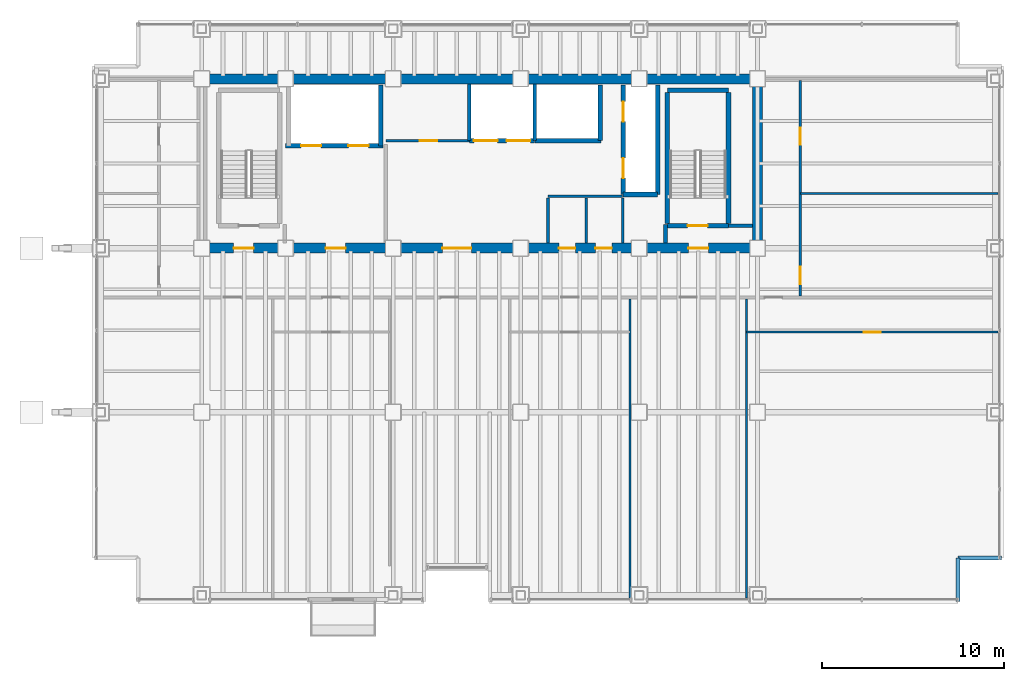
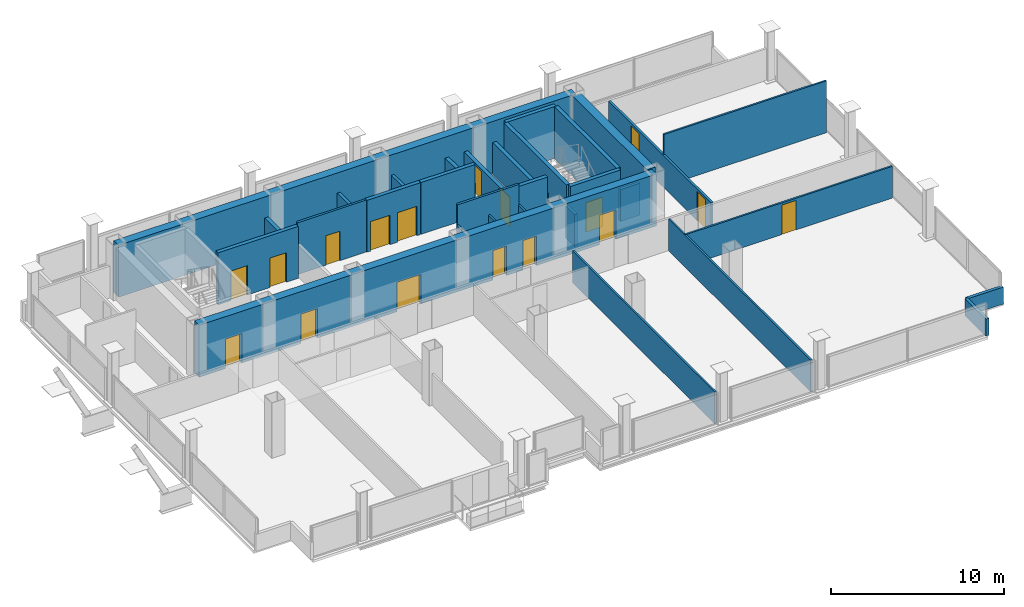
# One storey, part 19 of 21: 31 walls, 17 doors, 17 openings.
"""IFC4 building model written with IfcOpenShell, lengths in metres."""

from ifc_helpers import new_model, si_unit, direction, frame, frame_2d, origin, place, context, subcontext, project, spatial, rectangle, extrude, material, layer, layer_set, type_object, element, fill, save


model = new_model("IFC4")

# Units and contexts
model_context = context("Model", 3, precision=1e-05, world=origin(), true_north=direction((0.0, 1.0)))
body_context = subcontext(model_context, "Body", "Model", "MODEL_VIEW")
ifc_project = project(units=[si_unit("LENGTHUNIT", "METRE"), si_unit("AREAUNIT", "SQUARE_METRE"), si_unit("VOLUMEUNIT", "CUBIC_METRE"), si_unit("PLANEANGLEUNIT", "RADIAN"), si_unit("MASSUNIT", "GRAM", prefix="KILO")], contexts=[model_context])

# Site, building, storey
site_placement = place(None, origin())
site = spatial("IfcSite", under=ifc_project, at=site_placement, CompositionType="ELEMENT")
building_placement = place(site_placement, origin())
building = spatial("IfcBuilding", under=site, at=building_placement, Name="Noeulbin Bourse Tower", CompositionType="ELEMENT")
storey_placement = place(building_placement, frame((0.0, 0.0, 111.0)))
storey = spatial("IfcBuildingStorey", under=building, at=storey_placement, Name="L27", CompositionType="ELEMENT", Elevation=111.0)

# Wall, openings, doors
ifc_material_1 = material(Name="Concrete C60/75", Category="concrete")
ifc_layer_1 = layer(ifc_material_1, 0.550048828125)
ifc_layer_set_1 = layer_set([ifc_layer_1], Name="Concrete C60/75")
wall_type_1 = type_object("IfcWallType", Name="WAL-CORE-550", PredefinedType="SHEAR", material=ifc_layer_set_1)
wall_1_placement = place(storey_placement, frame((13.5, 29.0, 0.0), z_axis=(0.0, 0.0, 1.0), x_axis=(1.0, 0.0, 0.0)))
wall_1 = element("IfcWall", 1, at=wall_1_placement, inside=storey, type_object=wall_type_1, Name="Rear Core South Shear Wall L27", PredefinedType="SHEAR", context=body_context, shape_type="SweptSolid", body=[
    extrude(rectangle(XDim=30.5, YDim=0.550048828125, at=frame_2d((15.25, 0.0))), origin(), (0.0, 0.0, 1.0), 3.659912109375),
])
opening_1_placement = place(wall_1_placement, frame((1.75, 0.0, 0.0)))
opening_1 = element("IfcOpeningElement", 2, at=opening_1_placement, cuts=wall_1, Name="Opening FD-11", PredefinedType="OPENING", context=body_context, shape_type="SweptSolid", body=[
    extrude(rectangle(XDim=1.10009765625, YDim=2.080078125, at=frame_2d((0.550048828125, 1.0400390625))), frame((0.0, 0.284912109375, 0.0), z_axis=(0.0, -1.0, 0.0), x_axis=(1.0, 0.0, 0.0)), (0.0, 0.0, 1.0), 0.570068359375),
])
opening_2_placement = place(wall_1_placement, frame((26.699951171875, 0.0, 0.0)))
opening_2 = element("IfcOpeningElement", 3, at=opening_2_placement, cuts=wall_1, Name="Opening FD-11", PredefinedType="OPENING", context=body_context, shape_type="SweptSolid", body=[
    extrude(rectangle(XDim=1.10009765625, YDim=2.080078125, at=frame_2d((0.550048828125, 1.0400390625))), frame((0.0, 0.284912109375, 0.0), z_axis=(0.0, -1.0, 0.0), x_axis=(1.0, 0.0, 0.0)), (0.0, 0.0, 1.0), 0.570068359375),
])
opening_3_placement = place(wall_1_placement, frame((6.800048828125, 0.0, 0.0)))
opening_3 = element("IfcOpeningElement", 4, at=opening_3_placement, cuts=wall_1, Name="Opening FD-11", PredefinedType="OPENING", context=body_context, shape_type="SweptSolid", body=[
    extrude(rectangle(XDim=1.10009765625, YDim=2.080078125, at=frame_2d((0.550048828125, 1.0400390625))), frame((0.0, 0.284912109375, 0.0), z_axis=(0.0, -1.0, 0.0), x_axis=(1.0, 0.0, 0.0)), (0.0, 0.0, 1.0), 0.570068359375),
])
opening_4_placement = place(wall_1_placement, frame((13.199951171875, 0.0, 0.0)))
opening_4 = element("IfcOpeningElement", 5, at=opening_4_placement, cuts=wall_1, Name="Opening ID-16", PredefinedType="OPENING", context=body_context, shape_type="SweptSolid", body=[
    extrude(rectangle(XDim=1.60009765625, YDim=2.080078125, at=frame_2d((0.800048828125, 1.0400390625))), frame((0.0, 0.284912109375, 0.0), z_axis=(0.0, -1.0, 0.0), x_axis=(1.0, 0.0, 0.0)), (0.0, 0.0, 1.0), 0.570068359375),
])
opening_5_placement = place(wall_1_placement, frame((19.60009765625, 0.0, 0.0)))
opening_5 = element("IfcOpeningElement", 6, at=opening_5_placement, cuts=wall_1, Name="Opening FD-09", PredefinedType="OPENING", context=body_context, shape_type="SweptSolid", body=[
    extrude(rectangle(XDim=0.89990234375, YDim=2.080078125, at=frame_2d((0.449951171875, 1.0400390625))), frame((0.0, 0.284912109375, 0.0), z_axis=(0.0, -1.0, 0.0), x_axis=(1.0, 0.0, 0.0)), (0.0, 0.0, 1.0), 0.570068359375),
])
opening_6_placement = place(wall_1_placement, frame((21.60009765625, 0.0, 0.0)))
opening_6 = element("IfcOpeningElement", 7, at=opening_6_placement, cuts=wall_1, Name="Opening FD-09", PredefinedType="OPENING", context=body_context, shape_type="SweptSolid", body=[
    extrude(rectangle(XDim=0.89990234375, YDim=2.080078125, at=frame_2d((0.449951171875, 1.0400390625))), frame((0.0, 0.284912109375, 0.0), z_axis=(0.0, -1.0, 0.0), x_axis=(1.0, 0.0, 0.0)), (0.0, 0.0, 1.0), 0.570068359375),
])
ifc_material_2 = material(Name="Acoustic Glazed Aluminium", Category="aluminium")
door_type_1 = type_object("IfcDoorType", Name="DR-DBL-1600", OperationType="DOUBLE_DOOR_SINGLE_SWING", PredefinedType="DOOR", material=ifc_material_2)
door_1_placement = place(opening_4_placement, origin())
door_1 = element("IfcDoor", 8, at=door_1_placement, inside=storey, type_object=door_type_1, Name="Passenger Lift Lobby Portal L27", OperationType="DOUBLE_DOOR_SINGLE_SWING", OverallHeight=2.080078125, OverallWidth=1.60009765625, PredefinedType="DOOR", context=body_context, shape_type="SweptSolid", body=[
    extrude(rectangle(XDim=1.60009765625, YDim=2.080078125, at=frame_2d((0.800048828125, 1.0400390625))), frame((0.0, 0.02490234375, 0.0), z_axis=(0.0, -1.0, 0.0), x_axis=(1.0, 0.0, 0.0)), (0.0, 0.0, 1.0), 0.050048828125),
])
fill(opening_4, door_1)
ifc_material_3 = material(Name="Fire-Rated Timber Core", Category="wood")
door_type_2 = type_object("IfcDoorType", Name="DR-FD30-900", OperationType="SINGLE_SWING_RIGHT", PredefinedType="DOOR", material=ifc_material_3)
door_2_placement = place(opening_5_placement, origin())
door_2 = element("IfcDoor", 9, at=door_2_placement, inside=storey, type_object=door_type_2, Name="Interior Door L27-06", OperationType="SINGLE_SWING_RIGHT", OverallHeight=2.080078125, OverallWidth=0.89990234375, PredefinedType="DOOR", context=body_context, shape_type="SweptSolid", body=[
    extrude(rectangle(XDim=0.89990234375, YDim=2.080078125, at=frame_2d((0.449951171875, 1.0400390625))), frame((0.0, 0.02490234375, 0.0), z_axis=(0.0, -1.0, 0.0), x_axis=(1.0, 0.0, 0.0)), (0.0, 0.0, 1.0), 0.050048828125),
])
fill(opening_5, door_2)
door_3_placement = place(opening_6_placement, origin())
door_3 = element("IfcDoor", 10, at=door_3_placement, inside=storey, type_object=door_type_2, Name="Interior Door L27-07", OperationType="SINGLE_SWING_LEFT", OverallHeight=2.080078125, OverallWidth=0.89990234375, PredefinedType="DOOR", context=body_context, shape_type="SweptSolid", body=[
    extrude(rectangle(XDim=0.89990234375, YDim=2.080078125, at=frame_2d((0.449951171875, 1.0400390625))), frame((0.0, 0.02490234375, 0.0), z_axis=(0.0, -1.0, 0.0), x_axis=(1.0, 0.0, 0.0)), (0.0, 0.0, 1.0), 0.050048828125),
])
fill(opening_6, door_3)
ifc_material_4 = material(Name="Fire-Rated Insulated Steel", Category="steel")
door_type_3 = type_object("IfcDoorType", Name="DR-FD60-1100", OperationType="SINGLE_SWING_LEFT", PredefinedType="DOOR", material=ifc_material_4)
door_4_placement = place(opening_1_placement, origin())
door_4 = element("IfcDoor", 11, at=door_4_placement, inside=storey, type_object=door_type_3, Name="West Stair Lobby Door L27", OperationType="SINGLE_SWING_LEFT", OverallHeight=2.080078125, OverallWidth=1.10009765625, PredefinedType="DOOR", context=body_context, shape_type="SweptSolid", body=[
    extrude(rectangle(XDim=1.10009765625, YDim=2.080078125, at=frame_2d((0.550048828125, 1.0400390625))), frame((0.0, 0.02490234375, 0.0), z_axis=(0.0, -1.0, 0.0), x_axis=(1.0, 0.0, 0.0)), (0.0, 0.0, 1.0), 0.050048828125),
])
fill(opening_1, door_4)
door_5_placement = place(opening_2_placement, origin())
door_5 = element("IfcDoor", 12, at=door_5_placement, inside=storey, type_object=door_type_3, Name="East Stair Lobby Door L27", OperationType="SINGLE_SWING_RIGHT", OverallHeight=2.080078125, OverallWidth=1.10009765625, PredefinedType="DOOR", context=body_context, shape_type="SweptSolid", body=[
    extrude(rectangle(XDim=1.10009765625, YDim=2.080078125, at=frame_2d((0.550048828125, 1.0400390625))), frame((0.0, 0.02490234375, 0.0), z_axis=(0.0, -1.0, 0.0), x_axis=(1.0, 0.0, 0.0)), (0.0, 0.0, 1.0), 0.050048828125),
])
fill(opening_2, door_5)
door_6_placement = place(opening_3_placement, origin())
door_6 = element("IfcDoor", 13, at=door_6_placement, inside=storey, type_object=door_type_3, Name="Firefighting Lobby Door L27", OperationType="SINGLE_SWING_LEFT", OverallHeight=2.080078125, OverallWidth=1.10009765625, PredefinedType="DOOR", context=body_context, shape_type="SweptSolid", body=[
    extrude(rectangle(XDim=1.10009765625, YDim=2.080078125, at=frame_2d((0.550048828125, 1.0400390625))), frame((0.0, 0.02490234375, 0.0), z_axis=(0.0, -1.0, 0.0), x_axis=(1.0, 0.0, 0.0)), (0.0, 0.0, 1.0), 0.050048828125),
])
fill(opening_3, door_6)

# Walls
wall_2_placement = place(storey_placement, frame((13.5, 38.300048828125, 0.0), z_axis=(0.0, 0.0, 1.0), x_axis=(1.0, 0.0, 0.0)))
element("IfcWall", 14, at=wall_2_placement, inside=storey, type_object=wall_type_1, Name="Rear Core North Shear Wall L27", PredefinedType="SHEAR", context=body_context, shape_type="SweptSolid", body=[
    extrude(rectangle(XDim=30.5, YDim=0.550048828125, at=frame_2d((15.25, 0.0))), origin(), (0.0, 0.0, 1.0), 3.659912109375),
])
wall_3_placement = place(storey_placement, frame((44.0, 29.35009765625, 0.0), z_axis=(0.0, 0.0, 1.0), x_axis=(0.0, 1.0, 0.0)))
element("IfcWall", 15, at=wall_3_placement, inside=storey, type_object=wall_type_1, Name="Rear Core East Shear Wall L27", PredefinedType="SHEAR", context=body_context, shape_type="SweptSolid", body=[
    extrude(rectangle(XDim=8.599853515625, YDim=0.550048828125, at=frame_2d((4.2998046875, 0.0))), origin(), (0.0, 0.0, 1.0), 3.659912109375),
])
ifc_material_5 = material(Name="Concrete C40/50", Category="concrete")
ifc_layer_2 = layer(ifc_material_5, 0.199951171875)
ifc_layer_set_2 = layer_set([ifc_layer_2], Name="Concrete C40/50")
wall_type_2 = type_object("IfcWallType", Name="WAL-FIRE-200", PredefinedType="STANDARD", material=ifc_layer_set_2)
wall_4_placement = place(storey_placement, frame((42.39990234375, 30.239990234375, 0.0), z_axis=(0.0, 0.0, 1.0), x_axis=(1.0, 0.0, 0.0)))
element("IfcWall", 16, at=wall_4_placement, inside=storey, type_object=wall_type_2, Name="Interior Partition Wall L27-01", PredefinedType="STANDARD", context=body_context, shape_type="SweptSolid", body=[
    extrude(rectangle(XDim=1.315185546875, YDim=0.199951171875, at=frame_2d((0.65771484375, 0.0))), origin(), (0.0, 0.0, 1.0), 2.239990234375),
])
wall_5_placement = place(storey_placement, frame((38.949951171875, 29.284912109375, 0.0), z_axis=(0.0, 0.0, 1.0), x_axis=(0.0, 1.0, 0.0)))
element("IfcWall", 17, at=wall_5_placement, inside=storey, type_object=wall_type_2, Name="Interior Partition Wall L27-13", PredefinedType="STANDARD", context=body_context, shape_type="SweptSolid", body=[
    extrude(rectangle(XDim=1.01513671875, YDim=0.199951171875, at=frame_2d((0.507568359375, 0.0))), origin(), (0.0, 0.0, 1.0), 2.239990234375),
])
ifc_layer_3 = layer(ifc_material_5, 0.199951171875)
ifc_layer_set_3 = layer_set([ifc_layer_3], Name="Concrete C40/50")
wall_type_3 = type_object("IfcWallType", Name="WAL-PAR-200", PredefinedType="PARAPET", material=ifc_layer_set_3)
for number, where, z_axis, x_axis, name in (
    (18, (55.0, 9.60009765625, 0.0), (0.0, 0.0, 1.0), (0.0, 1.0, 0.0), "Corner Notch Parapet L27-SE1"),
    (19, (55.0, 12.0, 0.0), (0.0, 0.0, 1.0), (1.0, 0.0, 0.0), "Corner Notch Parapet L27-SE2"),
):
    element("IfcWall", number, at=place(storey_placement, frame(where, z_axis=z_axis, x_axis=x_axis)), inside=storey, type_object=wall_type_3, Name=name, PredefinedType="PARAPET", context=body_context, shape_type="SweptSolid", body=[
        extrude(rectangle(XDim=2.39990234375, YDim=0.199951171875, at=frame_2d((1.199951171875, 0.0))), origin(), (0.0, 0.0, 1.0), 1.199951171875),
    ])

# Wall, opening, door
ifc_material_6 = material(Name="Steel Stud Gypsum Partition", Category="steel")
ifc_layer_4 = layer(ifc_material_6, 0.1201171875)
ifc_layer_set_4 = layer_set([ifc_layer_4], Name="Steel Stud Gypsum Partition")
wall_type_4 = type_object("IfcWallType", Name="WAL-PRT-120", PredefinedType="PARTITIONING", material=ifc_layer_set_4)
wall_6_placement = place(storey_placement, frame((43.39990234375, 24.39990234375, 0.0), z_axis=(0.0, 0.0, 1.0), x_axis=(1.0, 0.0, 0.0)))
wall_6 = element("IfcWall", 20, at=wall_6_placement, inside=storey, type_object=wall_type_4, Name="Interior Partition Wall L27-09", PredefinedType="PARTITIONING", context=body_context, shape_type="SweptSolid", body=[
    extrude(rectangle(XDim=13.7900390625, YDim=0.1201171875, at=frame_2d((6.89501953125, 0.0))), origin(), (0.0, 0.0, 1.0), 2.239990234375),
])
opening_7_placement = place(wall_6_placement, frame((6.419921875, 0.0, 0.0)))
opening_7 = element("IfcOpeningElement", 21, at=opening_7_placement, cuts=wall_6, Name="Opening ID-09", PredefinedType="OPENING", context=body_context, shape_type="SweptSolid", body=[
    extrude(rectangle(XDim=0.949951171875, YDim=2.080078125, at=frame_2d((0.47509765625, 1.0400390625))), frame((0.0, 0.070068359375, 0.0), z_axis=(0.0, -1.0, 0.0), x_axis=(1.0, 0.0, 0.0)), (0.0, 0.0, 1.0), 0.14013671875),
])
ifc_material_7 = material(Name="Acoustic Solid-Core Timber", Category="wood")
door_type_4 = type_object("IfcDoorType", Name="DR-SINGLE-950", OperationType="SINGLE_SWING_LEFT", PredefinedType="DOOR", material=ifc_material_7)
door_7_placement = place(opening_7_placement, origin())
door_7 = element("IfcDoor", 22, at=door_7_placement, inside=storey, type_object=door_type_4, Name="Interior Door L27-15", OperationType="SINGLE_SWING_LEFT", OverallHeight=2.080078125, OverallWidth=0.949951171875, PredefinedType="DOOR", context=body_context, shape_type="SweptSolid", body=[
    extrude(rectangle(XDim=0.949951171875, YDim=2.080078125, at=frame_2d((0.47509765625, 1.0400390625))), frame((0.0, 0.02490234375, 0.0), z_axis=(0.0, -1.0, 0.0), x_axis=(1.0, 0.0, 0.0)), (0.0, 0.0, 1.0), 0.050048828125),
])
fill(opening_7, door_7)

# Walls
wall_7_placement = place(storey_placement, frame((46.35009765625, 32.0, 0.0), z_axis=(0.0, 0.0, 1.0), x_axis=(1.0, 0.0, 0.0)))
element("IfcWall", 23, at=wall_7_placement, inside=storey, type_object=wall_type_4, Name="Interior Partition Wall L27-11", PredefinedType="PARTITIONING", context=body_context, shape_type="SweptSolid", body=[
    extrude(rectangle(XDim=10.83984375, YDim=0.1201171875, at=frame_2d((5.419921875, 0.0))), origin(), (0.0, 0.0, 1.0), 3.659912109375),
])
for number, where, z_axis, x_axis, name in (
    (24, (36.60009765625, 29.284912109375, 0.0), (0.0, 0.0, 1.0), (0.0, 1.0, 0.0), "Interior Partition Wall L27-16"),
    (25, (34.60009765625, 29.284912109375, 0.0), (0.0, 0.0, 1.0), (0.0, 1.0, 0.0), "Interior Partition Wall L27-17"),
):
    element("IfcWall", number, at=place(storey_placement, frame(where, z_axis=z_axis, x_axis=x_axis)), inside=storey, type_object=wall_type_4, Name=name, PredefinedType="PARTITIONING", context=body_context, shape_type="SweptSolid", body=[
        extrude(rectangle(XDim=2.47998046875, YDim=0.1201171875, at=frame_2d((1.239990234375, 0.0))), origin(), (0.0, 0.0, 1.0), 2.239990234375),
    ])
for number, where, z_axis, x_axis, name in (
    (26, (37.0, 9.81005859375, 0.0), (0.0, 0.0, 1.0), (0.0, 1.0, 0.0), "Interior Partition Wall L27-23"),
    (27, (43.39990234375, 9.81005859375, 0.0), (0.0, 0.0, 1.0), (0.0, 1.0, 0.0), "Interior Partition Wall L27-24"),
):
    element("IfcWall", number, at=place(storey_placement, frame(where, z_axis=z_axis, x_axis=x_axis)), inside=storey, type_object=wall_type_4, Name=name, PredefinedType="PARTITIONING", context=body_context, shape_type="SweptSolid", body=[
        extrude(rectangle(XDim=16.405029296875, YDim=0.1201171875, at=frame_2d((8.20263671875, 0.0))), origin(), (0.0, 0.0, 1.0), 2.239990234375),
    ])

# Wall, opening, door
ifc_material_8 = material(Name="Steel Stud Acoustic Gypsum Board", Category="steel")
ifc_layer_5 = layer(ifc_material_8, 0.14990234375)
ifc_layer_set_5 = layer_set([ifc_layer_5], Name="Steel Stud Acoustic Gypsum Board")
wall_type_5 = type_object("IfcWallType", Name="WAL-PRT-150", PredefinedType="PARTITIONING", material=ifc_layer_set_5)
wall_8_placement = place(storey_placement, frame((23.60009765625, 34.89990234375, 0.0), z_axis=(0.0, 0.0, 1.0), x_axis=(1.0, 0.0, 0.0)))
wall_8 = element("IfcWall", 28, at=wall_8_placement, inside=storey, type_object=wall_type_5, Name="Interior Partition Wall L27-02", PredefinedType="PARTITIONING", context=body_context, shape_type="SweptSolid", body=[
    extrude(rectangle(XDim=4.579833984375, YDim=0.14990234375, at=frame_2d((2.2900390625, 0.0))), origin(), (0.0, 0.0, 1.0), 3.659912109375),
])
opening_8_placement = place(wall_8_placement, frame((1.875, 0.0, 0.0)))
opening_8 = element("IfcOpeningElement", 29, at=opening_8_placement, cuts=wall_8, Name="Opening ID-09", PredefinedType="OPENING", context=body_context, shape_type="SweptSolid", body=[
    extrude(rectangle(XDim=0.949951171875, YDim=2.080078125, at=frame_2d((0.47509765625, 1.0400390625))), frame((0.0, 0.0849609375, 0.0), z_axis=(0.0, -1.0, 0.0), x_axis=(1.0, 0.0, 0.0)), (0.0, 0.0, 1.0), 0.169921875),
])
door_8_placement = place(opening_8_placement, origin())
door_8 = element("IfcDoor", 30, at=door_8_placement, inside=storey, type_object=door_type_4, Name="Archive Room Door L27", OperationType="SINGLE_SWING_LEFT", OverallHeight=2.080078125, OverallWidth=0.949951171875, PredefinedType="DOOR", context=body_context, shape_type="SweptSolid", body=[
    extrude(rectangle(XDim=0.949951171875, YDim=2.080078125, at=frame_2d((0.47509765625, 1.0400390625))), frame((0.0, 0.02490234375, 0.0), z_axis=(0.0, -1.0, 0.0), x_axis=(1.0, 0.0, 0.0)), (0.0, 0.0, 1.0), 0.050048828125),
])
fill(opening_8, door_8)

# Walls
wall_9_placement = place(storey_placement, frame((32.5, 31.85009765625, 0.0), z_axis=(0.0, 0.0, 1.0), x_axis=(1.0, 0.0, 0.0)))
element("IfcWall", 31, at=wall_9_placement, inside=storey, type_object=wall_type_5, Name="Interior Partition Wall L27-03", PredefinedType="PARTITIONING", context=body_context, shape_type="SweptSolid", body=[
    extrude(rectangle(XDim=4.10009765625, YDim=0.14990234375, at=frame_2d((2.050048828125, 0.0))), origin(), (0.0, 0.0, 1.0), 3.659912109375),
])
wall_10_placement = place(storey_placement, frame((32.5, 29.284912109375, 0.0), z_axis=(0.0, 0.0, 1.0), x_axis=(0.0, 1.0, 0.0)))
element("IfcWall", 32, at=wall_10_placement, inside=storey, type_object=wall_type_5, Name="Interior Partition Wall L27-15", PredefinedType="PARTITIONING", context=body_context, shape_type="SweptSolid", body=[
    extrude(rectangle(XDim=2.47998046875, YDim=0.14990234375, at=frame_2d((1.239990234375, 0.0))), origin(), (0.0, 0.0, 1.0), 2.239990234375),
])

# Wall, openings, doors
wall_11_placement = place(storey_placement, frame((46.35009765625, 26.385009765625, 0.0), z_axis=(0.0, 0.0, 1.0), x_axis=(0.0, 1.0, 0.0)))
wall_11 = element("IfcWall", 33, at=wall_11_placement, inside=storey, type_object=wall_type_5, Name="Interior Partition Wall L27-19", PredefinedType="PARTITIONING", context=body_context, shape_type="SweptSolid", body=[
    extrude(rectangle(XDim=11.830078125, YDim=0.14990234375, at=frame_2d((5.9150390625, 0.0))), origin(), (0.0, 0.0, 1.0), 2.239990234375),
])
opening_9_placement = place(wall_11_placement, frame((0.639892578125, 0.0, 0.0)))
opening_9 = element("IfcOpeningElement", 34, at=opening_9_placement, cuts=wall_11, Name="Opening ID-09", PredefinedType="OPENING", context=body_context, shape_type="SweptSolid", body=[
    extrude(rectangle(XDim=0.949951171875, YDim=2.080078125, at=frame_2d((0.47509765625, 1.0400390625))), frame((0.0, 0.0849609375, 0.0), z_axis=(0.0, -1.0, 0.0), x_axis=(1.0, 0.0, 0.0)), (0.0, 0.0, 1.0), 0.169921875),
])
opening_10_placement = place(wall_11_placement, frame((8.2900390625, 0.0, 0.0)))
opening_10 = element("IfcOpeningElement", 35, at=opening_10_placement, cuts=wall_11, Name="Opening ID-09", PredefinedType="OPENING", context=body_context, shape_type="SweptSolid", body=[
    extrude(rectangle(XDim=0.949951171875, YDim=2.080078125, at=frame_2d((0.47509765625, 1.0400390625))), frame((0.0, 0.0849609375, 0.0), z_axis=(0.0, -1.0, 0.0), x_axis=(1.0, 0.0, 0.0)), (0.0, 0.0, 1.0), 0.169921875),
])
door_9_placement = place(opening_9_placement, origin())
door_9 = element("IfcDoor", 36, at=door_9_placement, inside=storey, type_object=door_type_4, Name="Interior Door L27-19", OperationType="SINGLE_SWING_LEFT", OverallHeight=2.080078125, OverallWidth=0.949951171875, PredefinedType="DOOR", context=body_context, shape_type="SweptSolid", body=[
    extrude(rectangle(XDim=0.949951171875, YDim=2.080078125, at=frame_2d((0.47509765625, 1.0400390625))), frame((0.0, 0.02490234375, 0.0), z_axis=(0.0, -1.0, 0.0), x_axis=(1.0, 0.0, 0.0)), (0.0, 0.0, 1.0), 0.050048828125),
])
fill(opening_9, door_9)
door_10_placement = place(opening_10_placement, origin())
door_10 = element("IfcDoor", 37, at=door_10_placement, inside=storey, type_object=door_type_4, Name="Interior Door L27-20", OperationType="SINGLE_SWING_RIGHT", OverallHeight=2.080078125, OverallWidth=0.949951171875, PredefinedType="DOOR", context=body_context, shape_type="SweptSolid", body=[
    extrude(rectangle(XDim=0.949951171875, YDim=2.080078125, at=frame_2d((0.47509765625, 1.0400390625))), frame((0.0, 0.02490234375, 0.0), z_axis=(0.0, -1.0, 0.0), x_axis=(1.0, 0.0, 0.0)), (0.0, 0.0, 1.0), 0.050048828125),
])
fill(opening_10, door_10)

# Wall, opening, door
ifc_layer_6 = layer(ifc_material_5, 0.25)
ifc_layer_set_6 = layer_set([ifc_layer_6], Name="Concrete C40/50")
wall_type_6 = type_object("IfcWallType", Name="WAL-SHFT-250", PredefinedType="STANDARD", material=ifc_layer_set_6)
wall_12_placement = place(storey_placement, frame((39.06005859375, 30.235107421875, 0.0), z_axis=(0.0, 0.0, 1.0), x_axis=(1.0, 0.0, 0.0)))
wall_12 = element("IfcWall", 38, at=wall_12_placement, inside=storey, type_object=wall_type_6, Name="Stair ST-2 South Shaft Wall L27", PredefinedType="STANDARD", context=body_context, shape_type="SweptSolid", body=[
    extrude(rectangle(XDim=3.33984375, YDim=0.25, at=frame_2d((1.669921875, 0.0))), origin(), (0.0, 0.0, 1.0), 3.659912109375),
])
opening_11_placement = place(wall_12_placement, frame((1.10009765625, 0.0, 0.0)))
opening_11 = element("IfcOpeningElement", 39, at=opening_11_placement, cuts=wall_12, Name="Opening FD-11", PredefinedType="OPENING", context=body_context, shape_type="SweptSolid", body=[
    extrude(rectangle(XDim=1.10009765625, YDim=2.080078125, at=frame_2d((0.550048828125, 1.0400390625))), frame((0.0, 0.135009765625, 0.0), z_axis=(0.0, -1.0, 0.0), x_axis=(1.0, 0.0, 0.0)), (0.0, 0.0, 1.0), 0.27001953125),
])
door_11_placement = place(opening_11_placement, origin())
door_11 = element("IfcDoor", 40, at=door_11_placement, inside=storey, type_object=door_type_3, Name="Protected Stair Entry Door ST2-L27", OperationType="SINGLE_SWING_RIGHT", OverallHeight=2.080078125, OverallWidth=1.10009765625, PredefinedType="DOOR", context=body_context, shape_type="SweptSolid", body=[
    extrude(rectangle(XDim=1.10009765625, YDim=2.080078125, at=frame_2d((0.550048828125, 1.0400390625))), frame((0.0, 0.02490234375, 0.0), z_axis=(0.0, -1.0, 0.0), x_axis=(1.0, 0.0, 0.0)), (0.0, 0.0, 1.0), 0.050048828125),
])
fill(opening_11, door_11)

# Walls
wall_13_placement = place(storey_placement, frame((39.06005859375, 37.6689453125, 0.0), z_axis=(0.0, 0.0, 1.0), x_axis=(1.0, 0.0, 0.0)))
element("IfcWall", 41, at=wall_13_placement, inside=storey, type_object=wall_type_6, Name="Stair ST-2 North Shaft Wall L27", PredefinedType="STANDARD", context=body_context, shape_type="SweptSolid", body=[
    extrude(rectangle(XDim=3.33984375, YDim=0.25, at=frame_2d((1.669921875, 0.0))), origin(), (0.0, 0.0, 1.0), 3.659912109375),
])
for number, where, z_axis, x_axis, name in (
    (42, (39.054931640625, 30.360107421875, 0.0), (0.0, 0.0, 1.0), (0.0, 1.0, 0.0), "Stair ST-2 West Shaft Wall L27"),
    (43, (42.405029296875, 30.360107421875, 0.0), (0.0, 0.0, 1.0), (0.0, 1.0, 0.0), "Stair ST-2 East Shaft Wall L27"),
):
    element("IfcWall", number, at=place(storey_placement, frame(where, z_axis=z_axis, x_axis=x_axis)), inside=storey, type_object=wall_type_6, Name=name, PredefinedType="STANDARD", context=body_context, shape_type="SweptSolid", body=[
        extrude(rectangle(XDim=7.183837890625, YDim=0.25, at=frame_2d((3.591796875, 0.0))), origin(), (0.0, 0.0, 1.0), 3.659912109375),
    ])

# Wall, openings, doors
wall_14_placement = place(storey_placement, frame((18.10009765625, 34.6201171875, 0.0), z_axis=(0.0, 0.0, 1.0), x_axis=(1.0, 0.0, 0.0)))
wall_14 = element("IfcWall", 44, at=wall_14_placement, inside=storey, type_object=wall_type_6, Name="Firefighting Lift Shaft Front L27", PredefinedType="STANDARD", context=body_context, shape_type="SweptSolid", body=[
    extrude(rectangle(XDim=5.349853515625, YDim=0.25, at=frame_2d((2.6748046875, 0.0))), origin(), (0.0, 0.0, 1.0), 3.659912109375),
])
opening_12_placement = place(wall_14_placement, frame((0.85009765625, 0.0, 0.0)))
opening_12 = element("IfcOpeningElement", 45, at=opening_12_placement, cuts=wall_14, Name="Opening LD-11", PredefinedType="OPENING", context=body_context, shape_type="SweptSolid", body=[
    extrude(rectangle(XDim=1.10009765625, YDim=2.080078125, at=frame_2d((0.550048828125, 1.0400390625))), frame((0.0, 0.135009765625, 0.0), z_axis=(0.0, -1.0, 0.0), x_axis=(1.0, 0.0, 0.0)), (0.0, 0.0, 1.0), 0.27001953125),
])
opening_13_placement = place(wall_14_placement, frame((3.449951171875, 0.0, 0.0)))
opening_13 = element("IfcOpeningElement", 46, at=opening_13_placement, cuts=wall_14, Name="Opening LD-11", PredefinedType="OPENING", context=body_context, shape_type="SweptSolid", body=[
    extrude(rectangle(XDim=1.10009765625, YDim=2.080078125, at=frame_2d((0.550048828125, 1.0400390625))), frame((0.0, 0.135009765625, 0.0), z_axis=(0.0, -1.0, 0.0), x_axis=(1.0, 0.0, 0.0)), (0.0, 0.0, 1.0), 0.27001953125),
])
ifc_material_9 = material(Name="Brushed Stainless Steel 316", Category="steel")
door_type_5 = type_object("IfcDoorType", Name="DR-LIFT-1100", OperationType="SLIDING_TO_LEFT", PredefinedType="DOOR", material=ifc_material_9)
door_12_placement = place(opening_12_placement, origin())
door_12 = element("IfcDoor", 47, at=door_12_placement, inside=storey, type_object=door_type_5, Name="Lift Landing Door LD-FL-01-L27", OperationType="SLIDING_TO_LEFT", OverallHeight=2.080078125, OverallWidth=1.10009765625, PredefinedType="DOOR", context=body_context, shape_type="SweptSolid", body=[
    extrude(rectangle(XDim=1.10009765625, YDim=2.080078125, at=frame_2d((0.550048828125, 1.0400390625))), frame((0.0, 0.02490234375, 0.0), z_axis=(0.0, -1.0, 0.0), x_axis=(1.0, 0.0, 0.0)), (0.0, 0.0, 1.0), 0.050048828125),
])
fill(opening_12, door_12)
door_13_placement = place(opening_13_placement, origin())
door_13 = element("IfcDoor", 48, at=door_13_placement, inside=storey, type_object=door_type_5, Name="Lift Landing Door LD-FL-02-L27", OperationType="SLIDING_TO_LEFT", OverallHeight=2.080078125, OverallWidth=1.10009765625, PredefinedType="DOOR", context=body_context, shape_type="SweptSolid", body=[
    extrude(rectangle(XDim=1.10009765625, YDim=2.080078125, at=frame_2d((0.550048828125, 1.0400390625))), frame((0.0, 0.02490234375, 0.0), z_axis=(0.0, -1.0, 0.0), x_axis=(1.0, 0.0, 0.0)), (0.0, 0.0, 1.0), 0.050048828125),
])
fill(opening_13, door_13)

wall_15_placement = place(storey_placement, frame((36.6201171875, 31.949951171875, 0.0), z_axis=(0.0, 0.0, 1.0), x_axis=(0.0, 1.0, 0.0)))
wall_15 = element("IfcWall", 49, at=wall_15_placement, inside=storey, type_object=wall_type_6, Name="Service Lift Shaft Wall L27", PredefinedType="STANDARD", context=body_context, shape_type="SweptSolid", body=[
    extrude(rectangle(XDim=6.0, YDim=0.25, at=frame_2d((3.0, 0.0))), origin(), (0.0, 0.0, 1.0), 2.239990234375),
])
opening_14_placement = place(wall_15_placement, frame((0.89990234375, 0.0, 0.0)))
opening_14 = element("IfcOpeningElement", 50, at=opening_14_placement, cuts=wall_15, Name="Opening LD-11", PredefinedType="OPENING", context=body_context, shape_type="SweptSolid", body=[
    extrude(rectangle(XDim=1.10009765625, YDim=2.080078125, at=frame_2d((0.550048828125, 1.0400390625))), frame((0.0, 0.135009765625, 0.0), z_axis=(0.0, -1.0, 0.0), x_axis=(1.0, 0.0, 0.0)), (0.0, 0.0, 1.0), 0.27001953125),
])
opening_15_placement = place(wall_15_placement, frame((4.0, 0.0, 0.0)))
opening_15 = element("IfcOpeningElement", 51, at=opening_15_placement, cuts=wall_15, Name="Opening LD-11", PredefinedType="OPENING", context=body_context, shape_type="SweptSolid", body=[
    extrude(rectangle(XDim=1.10009765625, YDim=2.080078125, at=frame_2d((0.550048828125, 1.0400390625))), frame((0.0, 0.135009765625, 0.0), z_axis=(0.0, -1.0, 0.0), x_axis=(1.0, 0.0, 0.0)), (0.0, 0.0, 1.0), 0.27001953125),
])
door_14_placement = place(opening_14_placement, origin())
door_14 = element("IfcDoor", 52, at=door_14_placement, inside=storey, type_object=door_type_5, Name="Lift Landing Door LD-EL-01-L27", OperationType="SLIDING_TO_LEFT", OverallHeight=2.080078125, OverallWidth=1.10009765625, PredefinedType="DOOR", context=body_context, shape_type="SweptSolid", body=[
    extrude(rectangle(XDim=1.10009765625, YDim=2.080078125, at=frame_2d((0.550048828125, 1.0400390625))), frame((0.0, 0.02490234375, 0.0), z_axis=(0.0, -1.0, 0.0), x_axis=(1.0, 0.0, 0.0)), (0.0, 0.0, 1.0), 0.050048828125),
])
fill(opening_14, door_14)
door_15_placement = place(opening_15_placement, origin())
door_15 = element("IfcDoor", 53, at=door_15_placement, inside=storey, type_object=door_type_5, Name="Lift Landing Door LD-SV-01-L27", OperationType="SLIDING_TO_LEFT", OverallHeight=2.080078125, OverallWidth=1.10009765625, PredefinedType="DOOR", context=body_context, shape_type="SweptSolid", body=[
    extrude(rectangle(XDim=1.10009765625, YDim=2.080078125, at=frame_2d((0.550048828125, 1.0400390625))), frame((0.0, 0.02490234375, 0.0), z_axis=(0.0, -1.0, 0.0), x_axis=(1.0, 0.0, 0.0)), (0.0, 0.0, 1.0), 0.050048828125),
])
fill(opening_15, door_15)

# Walls
wall_16_placement = place(storey_placement, frame((38.52001953125, 31.949951171875, 0.0), z_axis=(0.0, 0.0, 1.0), x_axis=(0.0, 1.0, 0.0)))
element("IfcWall", 54, at=wall_16_placement, inside=storey, type_object=wall_type_6, Name="Service Lift East Shaft Wall L27", PredefinedType="STANDARD", context=body_context, shape_type="SweptSolid", body=[
    extrude(rectangle(XDim=6.0, YDim=0.25, at=frame_2d((3.0, 0.0))), origin(), (0.0, 0.0, 1.0), 2.239990234375),
])
wall_17_placement = place(storey_placement, frame((36.6201171875, 31.949951171875, 0.0), z_axis=(0.0, 0.0, 1.0), x_axis=(1.0, 0.0, 0.0)))
element("IfcWall", 55, at=wall_17_placement, inside=storey, type_object=wall_type_6, Name="Service Lift South Shaft Wall L27", PredefinedType="STANDARD", context=body_context, shape_type="SweptSolid", body=[
    extrude(rectangle(XDim=1.89990234375, YDim=0.25, at=frame_2d((0.949951171875, 0.0))), origin(), (0.0, 0.0, 1.0), 3.47998046875),
])
wall_18_placement = place(storey_placement, frame((23.320068359375, 34.6201171875, 0.0), z_axis=(0.0, 0.0, 1.0), x_axis=(0.0, 1.0, 0.0)))
element("IfcWall", 56, at=wall_18_placement, inside=storey, type_object=wall_type_6, Name="Firefighting Lift East Shaft Wall L27", PredefinedType="STANDARD", context=body_context, shape_type="SweptSolid", body=[
    extrude(rectangle(XDim=3.329833984375, YDim=0.25, at=frame_2d((1.6650390625, 0.0))), origin(), (0.0, 0.0, 1.0), 2.239990234375),
])
wall_19_placement = place(storey_placement, frame((35.360107421875, 34.89990234375, 0.0), z_axis=(0.0, 0.0, 1.0), x_axis=(0.0, 1.0, 0.0)))
element("IfcWall", 57, at=wall_19_placement, inside=storey, type_object=wall_type_6, Name="High-Rise Lift East Shaft Wall L27", PredefinedType="STANDARD", context=body_context, shape_type="SweptSolid", body=[
    extrude(rectangle(XDim=3.050048828125, YDim=0.25, at=frame_2d((1.52490234375, 0.0))), origin(), (0.0, 0.0, 1.0), 2.239990234375),
])

# Wall, openings, doors
wall_20_placement = place(storey_placement, frame((28.199951171875, 34.89990234375, 0.0), z_axis=(0.0, 0.0, 1.0), x_axis=(1.0, 0.0, 0.0)))
wall_20 = element("IfcWall", 58, at=wall_20_placement, inside=storey, type_object=wall_type_6, Name="Mid-Rise Lift Bank Front L27", PredefinedType="STANDARD", context=body_context, shape_type="SweptSolid", body=[
    extrude(rectangle(XDim=3.550048828125, YDim=0.25, at=frame_2d((1.77490234375, 0.0))), origin(), (0.0, 0.0, 1.0), 3.659912109375),
])
opening_16_placement = place(wall_20_placement, frame((0.22998046875, 0.0, 0.0)))
opening_16 = element("IfcOpeningElement", 59, at=opening_16_placement, cuts=wall_20, Name="Opening LD-13", PredefinedType="OPENING", context=body_context, shape_type="SweptSolid", body=[
    extrude(rectangle(XDim=1.300048828125, YDim=2.080078125, at=frame_2d((0.64990234375, 1.0400390625))), frame((0.0, 0.135009765625, 0.0), z_axis=(0.0, -1.0, 0.0), x_axis=(1.0, 0.0, 0.0)), (0.0, 0.0, 1.0), 0.27001953125),
])
opening_17_placement = place(wall_20_placement, frame((2.030029296875, 0.0, 0.0)))
opening_17 = element("IfcOpeningElement", 60, at=opening_17_placement, cuts=wall_20, Name="Opening LD-13", PredefinedType="OPENING", context=body_context, shape_type="SweptSolid", body=[
    extrude(rectangle(XDim=1.300048828125, YDim=2.080078125, at=frame_2d((0.64990234375, 1.0400390625))), frame((0.0, 0.135009765625, 0.0), z_axis=(0.0, -1.0, 0.0), x_axis=(1.0, 0.0, 0.0)), (0.0, 0.0, 1.0), 0.27001953125),
])
door_type_6 = type_object("IfcDoorType", Name="DR-LIFT-1300", OperationType="DOUBLE_DOOR_SLIDING", PredefinedType="DOOR", material=ifc_material_9)
door_16_placement = place(opening_16_placement, origin())
door_16 = element("IfcDoor", 61, at=door_16_placement, inside=storey, type_object=door_type_6, Name="Lift Landing Door LD-PL-M1-L27", OperationType="DOUBLE_DOOR_SLIDING", OverallHeight=2.080078125, OverallWidth=1.300048828125, PredefinedType="DOOR", context=body_context, shape_type="SweptSolid", body=[
    extrude(rectangle(XDim=1.300048828125, YDim=2.080078125, at=frame_2d((0.64990234375, 1.0400390625))), frame((0.0, 0.02490234375, 0.0), z_axis=(0.0, -1.0, 0.0), x_axis=(1.0, 0.0, 0.0)), (0.0, 0.0, 1.0), 0.050048828125),
])
fill(opening_16, door_16)
door_17_placement = place(opening_17_placement, origin())
door_17 = element("IfcDoor", 62, at=door_17_placement, inside=storey, type_object=door_type_6, Name="Lift Landing Door LD-PL-M2-L27", OperationType="DOUBLE_DOOR_SLIDING", OverallHeight=2.080078125, OverallWidth=1.300048828125, PredefinedType="DOOR", context=body_context, shape_type="SweptSolid", body=[
    extrude(rectangle(XDim=1.300048828125, YDim=2.080078125, at=frame_2d((0.64990234375, 1.0400390625))), frame((0.0, 0.02490234375, 0.0), z_axis=(0.0, -1.0, 0.0), x_axis=(1.0, 0.0, 0.0)), (0.0, 0.0, 1.0), 0.050048828125),
])
fill(opening_17, door_17)

# Walls
wall_21_placement = place(storey_placement, frame((31.800048828125, 34.89990234375, 0.0), z_axis=(0.0, 0.0, 1.0), x_axis=(1.0, 0.0, 0.0)))
element("IfcWall", 63, at=wall_21_placement, inside=storey, type_object=wall_type_6, Name="High-Rise Lift Bank Front L27", PredefinedType="STANDARD", context=body_context, shape_type="SweptSolid", body=[
    extrude(rectangle(XDim=3.599853515625, YDim=0.25, at=frame_2d((1.7998046875, 0.0))), origin(), (0.0, 0.0, 1.0), 3.659912109375),
])
for number, where, z_axis, x_axis, name in (
    (64, (28.179931640625, 34.89990234375, 0.0), (0.0, 0.0, 1.0), (0.0, 1.0, 0.0), "Hoistway Side Shaft Wall L27-PLMW"),
    (65, (31.780029296875, 34.89990234375, 0.0), (0.0, 0.0, 1.0), (0.0, 1.0, 0.0), "Hoistway Side Shaft Wall L27-PLHW"),
):
    element("IfcWall", number, at=place(storey_placement, frame(where, z_axis=z_axis, x_axis=x_axis)), inside=storey, type_object=wall_type_6, Name=name, PredefinedType="STANDARD", context=body_context, shape_type="SweptSolid", body=[
        extrude(rectangle(XDim=3.1201171875, YDim=0.199951171875, at=frame_2d((1.56005859375, 0.0))), origin(), (0.0, 0.0, 1.0), 2.239990234375),
    ])

save(model, "model.ifc")
